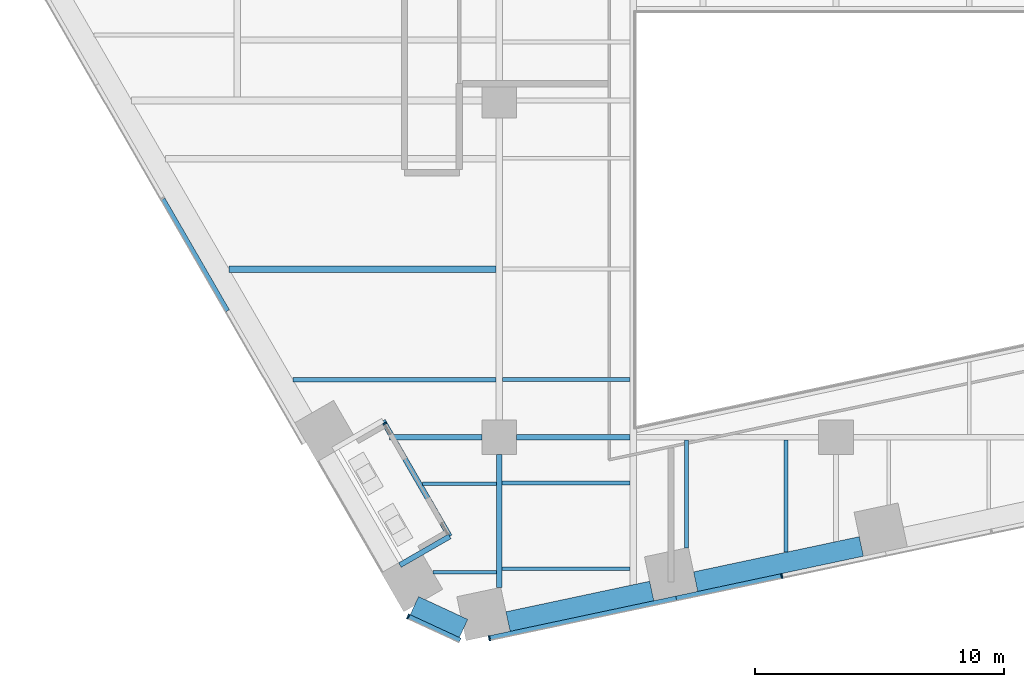
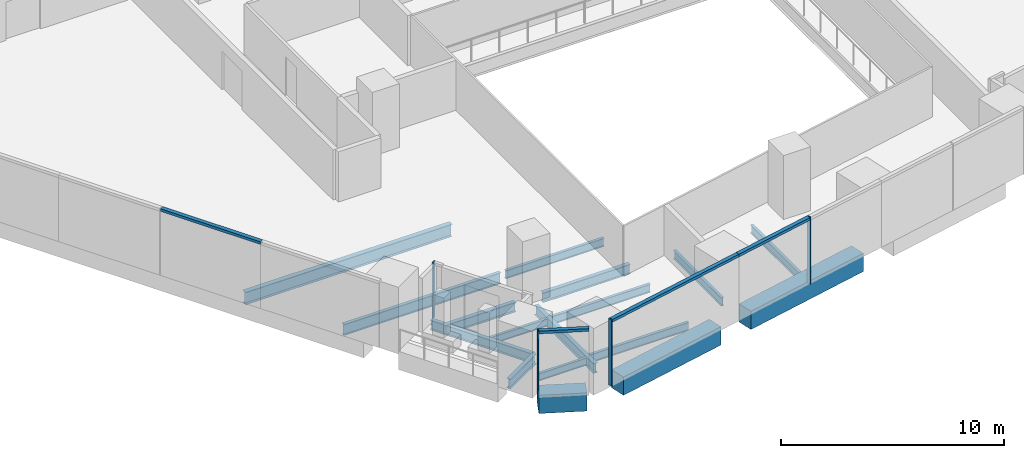
# One storey, part 2 of 31: 17 beams, 8 members, 4 elements without a shape of their own.
"""IFC4 building model written with IfcOpenShell, lengths in metres."""

from ifc_helpers import new_model, si_unit, direction, frame, origin, origin_2d, place, context, subcontext, project, spatial, rectangle, i_section, extrude, material, layer, layer_set, material_profile, profile_set, type_object, element, aggregate, save


model = new_model("IFC4")

# Units and contexts
model_context = context("Model", 3, precision=1e-05, world=origin(), true_north=direction((0.0, 1.0)))
body_context = subcontext(model_context, "Body", "Model", "MODEL_VIEW")
ifc_project = project(units=[si_unit("LENGTHUNIT", "METRE"), si_unit("AREAUNIT", "SQUARE_METRE"), si_unit("VOLUMEUNIT", "CUBIC_METRE"), si_unit("PLANEANGLEUNIT", "RADIAN"), si_unit("MASSUNIT", "GRAM", prefix="KILO")], contexts=[model_context])

# Site, building, storey
site_placement = place(None, origin())
site = spatial("IfcSite", under=ifc_project, at=site_placement, CompositionType="ELEMENT")
building_placement = place(site_placement, origin())
building = spatial("IfcBuilding", under=site, at=building_placement, Name="Isthmus Gate Tower", CompositionType="ELEMENT")
storey_placement = place(building_placement, frame((0.0, 0.0, 54.25)))
storey = spatial("IfcBuildingStorey", under=building, at=storey_placement, Name="L11", CompositionType="ELEMENT", Elevation=54.25)

# Curtain wall, member
ifc_material_1 = material(Name="Aluminium, pale champagne anodised", Category="aluminium")
ifc_layer_1 = layer(ifc_material_1, 0.199951171875)
ifc_layer_set_1 = layer_set([ifc_layer_1], Name="CW-1 UNITISED CURTAIN WALL 200 DEEP")
curtain_wall_type_1 = type_object("IfcCurtainWallType", Name="CW-1 UNITISED CURTAIN WALL 200 DEEP", PredefinedType="NOTDEFINED", material=ifc_layer_set_1)
curtain_wall_1_placement = place(storey_placement, origin())
curtain_wall_1 = element("IfcCurtainWall", 1, at=curtain_wall_1_placement, inside=storey, type_object=curtain_wall_type_1, Name="CW-1 SW-S L11", PredefinedType="NOTDEFINED")
ifc_material_2 = material(Name="Aluminium, pale champagne anodised", Category="aluminium")
ifc_material_profile_1 = material_profile(ifc_material_2, rectangle(XDim=0.06005859375, YDim=0.199951171875, at=origin_2d()), Name="60x200")
ifc_profile_set_1 = profile_set([ifc_material_profile_1], Name="Aluminium, pale champagne anodised")
member_type_1 = type_object("IfcMemberType", Name="CW-1 MULLION 60 X 200", PredefinedType="MULLION", material=ifc_profile_set_1)
member_1_placement = place(storey_placement, frame((-17.14794921875, -34.184814453125, 0.0), z_axis=(0.0, 0.0, 1.0), x_axis=(0.907256261367, -0.420578264073, 0.0)))
member_1 = element("IfcMember", 2, at=member_1_placement, type_object=member_type_1, Name="CW-1 mullion", PredefinedType="MULLION", context=body_context, shape_type="SweptSolid", body=[
    extrude(rectangle(XDim=0.06005859375, YDim=0.199951171875, at=origin_2d()), origin(), (0.0, 0.0, 1.0), 3.64990234375),
])

# Curtain wall, members
curtain_wall_2_placement = place(storey_placement, origin())
curtain_wall_2 = element("IfcCurtainWall", 3, at=curtain_wall_2_placement, inside=storey, type_object=curtain_wall_type_1, Name="CW-1 S L11", PredefinedType="NOTDEFINED")
member_2_placement = place(storey_placement, frame((-13.89501953125, -35.0556640625, 0.0), z_axis=(0.0, 0.0, 1.0), x_axis=(0.978147600734, 0.207911690818, 0.0)))
member_2 = element("IfcMember", 4, at=member_2_placement, type_object=member_type_1, Name="CW-1 mullion", PredefinedType="MULLION", context=body_context, shape_type="SweptSolid", body=[
    extrude(rectangle(XDim=0.06005859375, YDim=0.199951171875, at=origin_2d()), origin(), (0.0, 0.0, 1.0), 3.64990234375),
])
member_3_placement = place(storey_placement, frame((-2.1728515625, -32.564208984375, 0.0), z_axis=(0.0, 0.0, 1.0), x_axis=(0.978147600734, 0.207911690818, 0.0)))
member_3 = element("IfcMember", 5, at=member_3_placement, type_object=member_type_1, Name="CW-1 mullion", PredefinedType="MULLION", context=body_context, shape_type="SweptSolid", body=[
    extrude(rectangle(XDim=0.06005859375, YDim=0.199951171875, at=origin_2d()), origin(), (0.0, 0.0, 1.0), 3.64990234375),
])

# Curtain wall, member
curtain_wall_3_placement = place(storey_placement, origin())
curtain_wall_3 = element("IfcCurtainWall", 6, at=curtain_wall_3_placement, inside=storey, type_object=curtain_wall_type_1, Name="CW-1 SW L11", PredefinedType="NOTDEFINED")
ifc_material_3 = material(Name="Aluminium, pale champagne anodised", Category="aluminium")
ifc_material_profile_2 = material_profile(ifc_material_3, rectangle(XDim=0.199951171875, YDim=0.14990234375, at=origin_2d()), Name="200x150")
ifc_profile_set_2 = profile_set([ifc_material_profile_2], Name="Aluminium, pale champagne anodised")
member_type_2 = type_object("IfcMemberType", Name="CW-1 TRANSOM 200 X 150", PredefinedType="USERDEFINED", material=ifc_profile_set_2)
member_4_placement = place(storey_placement, frame((-26.98681640625, -17.45751953125, 3.574951171875), z_axis=(0.49999612508, -0.866027640959, 0.0), x_axis=(0.866027640959, 0.49999612508, 0.0)))
member_4 = element("IfcMember", 7, at=member_4_placement, type_object=member_type_2, Name="CW-1 transom", ObjectType="TRANSOM", PredefinedType="USERDEFINED", context=body_context, shape_type="SweptSolid", body=[
    extrude(rectangle(XDim=0.199951171875, YDim=0.14990234375, at=origin_2d()), origin(), (0.0, 0.0, 1.0), 5.173828125),
])
aggregate(curtain_wall_3, [member_4])

# Member
member_5_placement = place(storey_placement, frame((-17.120849609375, -34.197509765625, 3.574951171875), z_axis=(0.907246225564, -0.420599912268, 0.0), x_axis=(0.420599912268, 0.907246225564, 0.0)))
member_5 = element("IfcMember", 8, at=member_5_placement, type_object=member_type_2, Name="CW-1 transom", ObjectType="TRANSOM", PredefinedType="USERDEFINED", context=body_context, shape_type="SweptSolid", body=[
    extrude(rectangle(XDim=0.199951171875, YDim=0.14990234375, at=origin_2d()), origin(), (0.0, 0.0, 1.0), 2.258544921875),
])

aggregate(curtain_wall_1, [member_1, member_5])

member_6_placement = place(storey_placement, frame((-13.86572265625, -35.049560546875, 3.574951171875), z_axis=(0.978149009137, 0.20790506469, 0.0), x_axis=(-0.20790506469, 0.978149009137, 0.0)))
member_6 = element("IfcMember", 9, at=member_6_placement, type_object=member_type_2, Name="CW-1 transom", ObjectType="TRANSOM", PredefinedType="USERDEFINED", context=body_context, shape_type="SweptSolid", body=[
    extrude(rectangle(XDim=0.199951171875, YDim=0.14990234375, at=origin_2d()), origin(), (0.0, 0.0, 1.0), 7.62939453125),
])

member_7_placement = place(storey_placement, frame((-6.403076171875, -33.46337890625, 3.574951171875), z_axis=(0.97813890815, 0.207952582007, 0.0), x_axis=(-0.207952582007, 0.97813890815, 0.0)))
member_7 = element("IfcMember", 10, at=member_7_placement, type_object=member_type_2, Name="CW-1 transom", ObjectType="TRANSOM", PredefinedType="USERDEFINED", context=body_context, shape_type="SweptSolid", body=[
    extrude(rectangle(XDim=0.199951171875, YDim=0.14990234375, at=origin_2d()), origin(), (0.0, 0.0, 1.0), 4.294677734375),
])

aggregate(curtain_wall_2, [member_2, member_6, member_7, member_3])

# Curtain wall, member
ifc_material_4 = material(Name="Aluminium, pale champagne anodised", Category="aluminium")
ifc_layer_2 = layer(ifc_material_4, 0.14990234375)
ifc_layer_set_2 = layer_set([ifc_layer_2], Name="CW-6 LOGGIA BACK WALL GLAZING 150 DEEP")
curtain_wall_type_2 = type_object("IfcCurtainWallType", Name="CW-6 LOGGIA BACK WALL GLAZING 150 DEEP", PredefinedType="NOTDEFINED", material=ifc_layer_set_2)
curtain_wall_4_placement = place(storey_placement, origin())
curtain_wall_4 = element("IfcCurtainWall", 11, at=curtain_wall_4_placement, inside=storey, type_object=curtain_wall_type_2, Name="CW-6 SW L11", PredefinedType="NOTDEFINED")
ifc_material_5 = material(Name="Aluminium, pale champagne anodised", Category="aluminium")
ifc_material_profile_3 = material_profile(ifc_material_5, rectangle(XDim=0.06005859375, YDim=0.14990234375, at=origin_2d()), Name="60x150")
ifc_profile_set_3 = profile_set([ifc_material_profile_3], Name="Aluminium, pale champagne anodised")
member_type_3 = type_object("IfcMemberType", Name="CW-6 MULLION 60 X 150", PredefinedType="MULLION", material=ifc_profile_set_3)
member_8_placement = place(storey_placement, frame((-18.096923828125, -26.455322265625, 0.0), z_axis=(0.0, 0.0, 1.0), x_axis=(0.5, -0.866025403784, 0.0)))
member_8 = element("IfcMember", 12, at=member_8_placement, type_object=member_type_3, Name="CW-6 mullion", PredefinedType="MULLION", context=body_context, shape_type="SweptSolid", body=[
    extrude(rectangle(XDim=0.06005859375, YDim=0.14990234375, at=origin_2d()), origin(), (0.0, 0.0, 1.0), 3.050048828125),
])
aggregate(curtain_wall_4, [member_8])

# Beams
ifc_material_6 = material(Name="Concrete f'c 70 MPa", Category="concrete")
ifc_material_profile_4 = material_profile(ifc_material_6, rectangle(XDim=0.800048828125, YDim=1.0, at=origin_2d()), Name="RC 800X1000")
ifc_profile_set_4 = profile_set([ifc_material_profile_4], Name="Concrete f'c 70 MPa")
beam_type_1 = type_object("IfcBeamType", Name="RC SPANDREL 800 X 1000", PredefinedType="SPANDREL", material=ifc_profile_set_4)
beam_1_placement = place(storey_placement, frame((1.01416015625, -31.37548828125, -0.5), z_axis=(-0.978145779981, -0.207920256603, 0.0), x_axis=(0.207920256603, -0.978145779981, 0.0)))
element("IfcBeam", 13, at=beam_1_placement, inside=storey, type_object=beam_type_1, Name="str-spandrel-L11-12", PredefinedType="SPANDREL", context=body_context, shape_type="SweptSolid", body=[
    extrude(rectangle(XDim=0.800048828125, YDim=1.0, at=origin_2d()), origin(), (0.0, 0.0, 1.0), 6.789306640625),
])
beam_2_placement = place(storey_placement, frame((-7.387451171875, -33.161376953125, -0.5), z_axis=(-0.978149894464, -0.207900899374, 0.0), x_axis=(0.207900899374, -0.978149894464, 0.0)))
element("IfcBeam", 14, at=beam_2_placement, inside=storey, type_object=beam_type_1, Name="str-spandrel-L11-13", PredefinedType="SPANDREL", context=body_context, shape_type="SweptSolid", body=[
    extrude(rectangle(XDim=0.800048828125, YDim=1.0, at=origin_2d()), origin(), (0.0, 0.0, 1.0), 5.88916015625),
])
beam_3_placement = place(storey_placement, frame((-14.929443359375, -34.662109375, -0.5), z_axis=(-0.907290744498, 0.420503870314, 0.0), x_axis=(-0.420503870314, -0.907290744498, 0.0)))
element("IfcBeam", 15, at=beam_3_placement, inside=storey, type_object=beam_type_1, Name="str-spandrel-L11-14", PredefinedType="SPANDREL", context=body_context, shape_type="SweptSolid", body=[
    extrude(rectangle(XDim=0.800048828125, YDim=1.0, at=origin_2d()), origin(), (0.0, 0.0, 1.0), 2.173095703125),
])
ifc_material_7 = material(Name="Structural steel ASTM A992 Gr 50", Category="steel")
ifc_material_profile_5 = material_profile(ifc_material_7, i_section(OverallWidth=0.1396484375, OverallDepth=0.4033203125, WebThickness=0.00634765625, FlangeThickness=0.010986328125, at=origin_2d()), Name="W16X31")
ifc_profile_set_5 = profile_set([ifc_material_profile_5], Name="Structural steel ASTM A992 Gr 50")
beam_type_2 = type_object("IfcBeamType", Name="STEEL FLOOR BEAM W16X31", PredefinedType="JOIST", material=ifc_profile_set_5)
beam_4_placement = place(storey_placement, frame((-16.162353515625, -32.406005859375, -0.3515625), z_axis=(1.0, 0.0, 0.0), x_axis=(0.0, 1.0, 0.0)))
element("IfcBeam", 16, at=beam_4_placement, inside=storey, type_object=beam_type_2, Name="str-beam-L11-11-00", PredefinedType="JOIST", context=body_context, shape_type="SweptSolid", body=[
    extrude(i_section(OverallWidth=0.1396484375, OverallDepth=0.4033203125, WebThickness=0.00634765625, FlangeThickness=0.010986328125, at=origin_2d()), origin(), (0.0, 0.0, 1.0), 2.5576171875),
])
beam_5_placement = place(storey_placement, frame((-16.5751953125, -28.871826171875, -0.3515625), z_axis=(1.0, 0.0, 0.0), x_axis=(0.0, 1.0, 0.0)))
element("IfcBeam", 17, at=beam_5_placement, inside=storey, type_object=beam_type_2, Name="str-beam-L11-11-01", PredefinedType="JOIST", context=body_context, shape_type="SweptSolid", body=[
    extrude(i_section(OverallWidth=0.1396484375, OverallDepth=0.4033203125, WebThickness=0.00634765625, FlangeThickness=0.010986328125, at=origin_2d()), origin(), (0.0, 0.0, 1.0), 2.970458984375),
])
ifc_material_8 = material(Name="Structural steel ASTM A992 Gr 50", Category="steel")
ifc_material_profile_6 = material_profile(ifc_material_8, i_section(OverallWidth=0.15234375, OverallDepth=0.45068359375, WebThickness=0.0078125, FlangeThickness=0.010986328125, at=origin_2d()), Name="W18X35")
ifc_profile_set_6 = profile_set([ifc_material_profile_6], Name="Structural steel ASTM A992 Gr 50")
beam_type_3 = type_object("IfcBeamType", Name="STEEL FLOOR BEAM W18X35", PredefinedType="JOIST", material=ifc_profile_set_6)
for number, where, z_axis, x_axis, name in (
    (18, (-13.395263671875, -32.27197265625, -0.37548828125), (1.0, 0.0, 0.0), (0.0, 1.0, 0.0), "str-beam-L11-12-00"),
    (19, (-13.395263671875, -28.8271484375, -0.37548828125), (1.0, 0.0, 0.0), (0.0, 1.0, 0.0), "str-beam-L11-12-01"),
):
    element("IfcBeam", number, at=place(storey_placement, frame(where, z_axis=z_axis, x_axis=x_axis)), inside=storey, type_object=beam_type_3, Name=name, PredefinedType="JOIST", context=body_context, shape_type="SweptSolid", body=[
        extrude(i_section(OverallWidth=0.15234375, OverallDepth=0.45068359375, WebThickness=0.0078125, FlangeThickness=0.010986328125, at=origin_2d()), origin(), (0.0, 0.0, 1.0), 5.128662109375),
    ])
beam_6_placement = place(storey_placement, frame((-13.3681640625, -24.68017578125, -0.37548828125), z_axis=(1.0, 0.0, 0.0), x_axis=(0.0, 1.0, 0.0)))
element("IfcBeam", 20, at=beam_6_placement, inside=storey, type_object=beam_type_3, Name="str-beam-L11-14-00", PredefinedType="JOIST", context=body_context, shape_type="SweptSolid", body=[
    extrude(i_section(OverallWidth=0.15234375, OverallDepth=0.45068359375, WebThickness=0.0078125, FlangeThickness=0.010986328125, at=origin_2d()), origin(), (0.0, 0.0, 1.0), 5.1015625),
])
beam_7_placement = place(storey_placement, frame((-6.0, -31.43505859375, -0.37548828125), z_axis=(0.0, 1.0, 0.0), x_axis=(-1.0, 0.0, 0.0)))
element("IfcBeam", 21, at=beam_7_placement, inside=storey, type_object=beam_type_3, Name="str-beam-L11-18-00", PredefinedType="JOIST", context=body_context, shape_type="SweptSolid", body=[
    extrude(i_section(OverallWidth=0.15234375, OverallDepth=0.45068359375, WebThickness=0.0078125, FlangeThickness=0.010986328125, at=origin_2d()), origin(), (0.0, 0.0, 1.0), 4.32080078125),
])
beam_8_placement = place(storey_placement, frame((-2.0, -31.607177734375, -0.37548828125), z_axis=(0.0, 1.0, 0.0), x_axis=(-1.0, 0.0, 0.0)))
element("IfcBeam", 22, at=beam_8_placement, inside=storey, type_object=beam_type_3, Name="str-beam-L11-18-01", PredefinedType="JOIST", context=body_context, shape_type="SweptSolid", body=[
    extrude(i_section(OverallWidth=0.15234375, OverallDepth=0.45068359375, WebThickness=0.0078125, FlangeThickness=0.010986328125, at=origin_2d()), origin(), (0.0, 0.0, 1.0), 4.492919921875),
])
ifc_material_9 = material(Name="Structural steel ASTM A992 Gr 50", Category="steel")
ifc_material_profile_7 = material_profile(ifc_material_9, i_section(OverallWidth=0.177734375, OverallDepth=0.60009765625, WebThickness=0.009521484375, FlangeThickness=0.0126953125, at=origin_2d()), Name="W24X55")
ifc_profile_set_7 = profile_set([ifc_material_profile_7], Name="Structural steel ASTM A992 Gr 50")
beam_type_4 = type_object("IfcBeamType", Name="STEEL FLOOR BEAM W24X55", PredefinedType="JOIST", material=ifc_profile_set_7)
beam_9_placement = place(storey_placement, frame((-21.7734375, -24.687255859375, -0.449951171875), z_axis=(1.0, 0.0, 0.0), x_axis=(0.0, 1.0, 0.0)))
element("IfcBeam", 23, at=beam_9_placement, inside=storey, type_object=beam_type_4, Name="str-beam-L11-05-00", PredefinedType="JOIST", context=body_context, shape_type="SweptSolid", body=[
    extrude(i_section(OverallWidth=0.177734375, OverallDepth=0.60009765625, WebThickness=0.009521484375, FlangeThickness=0.0126953125, at=origin_2d()), origin(), (0.0, 0.0, 1.0), 8.1416015625),
])
ifc_material_10 = material(Name="Structural steel ASTM A992 Gr 50", Category="steel")
ifc_material_profile_8 = material_profile(ifc_material_10, i_section(OverallWidth=0.25390625, OverallDepth=0.679443359375, WebThickness=0.010986328125, FlangeThickness=0.015869140625, at=origin_2d()), Name="W27X84")
ifc_profile_set_8 = profile_set([ifc_material_profile_8], Name="Structural steel ASTM A992 Gr 50")
beam_type_5 = type_object("IfcBeamType", Name="STEEL FLOOR BEAM W27X84", PredefinedType="JOIST", material=ifc_profile_set_8)
beam_10_placement = place(storey_placement, frame((-24.326171875, -20.265625, -0.48974609375), z_axis=(1.0, 0.0, 0.0), x_axis=(0.0, 1.0, 0.0)))
element("IfcBeam", 24, at=beam_10_placement, inside=storey, type_object=beam_type_5, Name="str-beam-L11-05-01", PredefinedType="JOIST", context=body_context, shape_type="SweptSolid", body=[
    extrude(i_section(OverallWidth=0.25390625, OverallDepth=0.679443359375, WebThickness=0.010986328125, FlangeThickness=0.015869140625, at=origin_2d()), origin(), (0.0, 0.0, 1.0), 10.6943359375),
])
ifc_material_11 = material(Name="Structural steel ASTM A992 Gr 50", Category="steel")
ifc_material_profile_9 = material_profile(ifc_material_11, i_section(OverallWidth=0.20947265625, OverallDepth=0.533447265625, WebThickness=0.009521484375, FlangeThickness=0.015869140625, at=origin_2d()), Name="W21X62")
ifc_profile_set_9 = profile_set([ifc_material_profile_9], Name="Structural steel ASTM A992 Gr 50")
beam_type_6 = type_object("IfcBeamType", Name="STEEL GIRDER W21X62", PredefinedType="BEAM", material=ifc_profile_set_9)
beam_11_placement = place(storey_placement, frame((-17.89794921875, -27.0, -0.416748046875), z_axis=(1.0, 0.0, 0.0), x_axis=(0.0, 1.0, 0.0)))
element("IfcBeam", 25, at=beam_11_placement, inside=storey, type_object=beam_type_6, Name="str-girder-L11-01", PredefinedType="BEAM", context=body_context, shape_type="SweptSolid", body=[
    extrude(i_section(OverallWidth=0.20947265625, OverallDepth=0.533447265625, WebThickness=0.009521484375, FlangeThickness=0.015869140625, at=origin_2d()), origin(), (0.0, 0.0, 1.0), 3.697998046875),
])
beam_12_placement = place(storey_placement, frame((-12.800048828125, -27.0, -0.416748046875), z_axis=(1.0, 0.0, 0.0), x_axis=(0.0, 1.0, 0.0)))
element("IfcBeam", 26, at=beam_12_placement, inside=storey, type_object=beam_type_6, Name="str-girder-L11-02", PredefinedType="BEAM", context=body_context, shape_type="SweptSolid", body=[
    extrude(i_section(OverallWidth=0.20947265625, OverallDepth=0.533447265625, WebThickness=0.009521484375, FlangeThickness=0.015869140625, at=origin_2d()), origin(), (0.0, 0.0, 1.0), 4.533447265625),
])
beam_13_placement = place(storey_placement, frame((-13.5, -33.029296875, -0.416748046875), z_axis=(0.0, 1.0, 0.0), x_axis=(-1.0, 0.0, 0.0)))
element("IfcBeam", 27, at=beam_13_placement, inside=storey, type_object=beam_type_6, Name="str-girder-L11-23", PredefinedType="BEAM", context=body_context, shape_type="SweptSolid", body=[
    extrude(i_section(OverallWidth=0.20947265625, OverallDepth=0.533447265625, WebThickness=0.009521484375, FlangeThickness=0.015869140625, at=origin_2d()), origin(), (0.0, 0.0, 1.0), 5.329345703125),
])
ifc_material_12 = material(Name="Structural steel ASTM A992 Gr 50", Category="steel")
ifc_material_profile_10 = material_profile(ifc_material_12, i_section(OverallWidth=0.20947265625, OverallDepth=0.533447265625, WebThickness=0.009521484375, FlangeThickness=0.015869140625, at=origin_2d()), Name="W21X62")
ifc_profile_set_10 = profile_set([ifc_material_profile_10], Name="Structural steel ASTM A992 Gr 50")
beam_type_7 = type_object("IfcBeamType", Name="STEEL TRIMMER W21X62", PredefinedType="BEAM", material=ifc_profile_set_10)
beam_14_placement = place(storey_placement, frame((-18.16015625, -26.33642578125, -0.416748046875), z_axis=(0.500009341406, -0.866020010454, 0.0), x_axis=(0.866020010454, 0.500009341406, 0.0)))
element("IfcBeam", 28, at=beam_14_placement, inside=storey, type_object=beam_type_7, Name="str-loggiatrim-L11-03-B", PredefinedType="BEAM", context=body_context, shape_type="SweptSolid", body=[
    extrude(i_section(OverallWidth=0.20947265625, OverallDepth=0.533447265625, WebThickness=0.009521484375, FlangeThickness=0.015869140625, at=origin_2d()), origin(), (0.0, 0.0, 1.0), 5.35302734375),
])
beam_15_placement = place(storey_placement, frame((-17.4794921875, -32.12451171875, -0.416748046875), z_axis=(0.866017993231, 0.500012835235, 0.0), x_axis=(-0.500012835235, 0.866017993231, 0.0)))
element("IfcBeam", 29, at=beam_15_placement, inside=storey, type_object=beam_type_7, Name="str-loggiatrim-L11-03-C", PredefinedType="BEAM", context=body_context, shape_type="SweptSolid", body=[
    extrude(i_section(OverallWidth=0.20947265625, OverallDepth=0.533447265625, WebThickness=0.009521484375, FlangeThickness=0.015869140625, at=origin_2d()), origin(), (0.0, 0.0, 1.0), 2.3046875),
])

save(model, "model.ifc")
